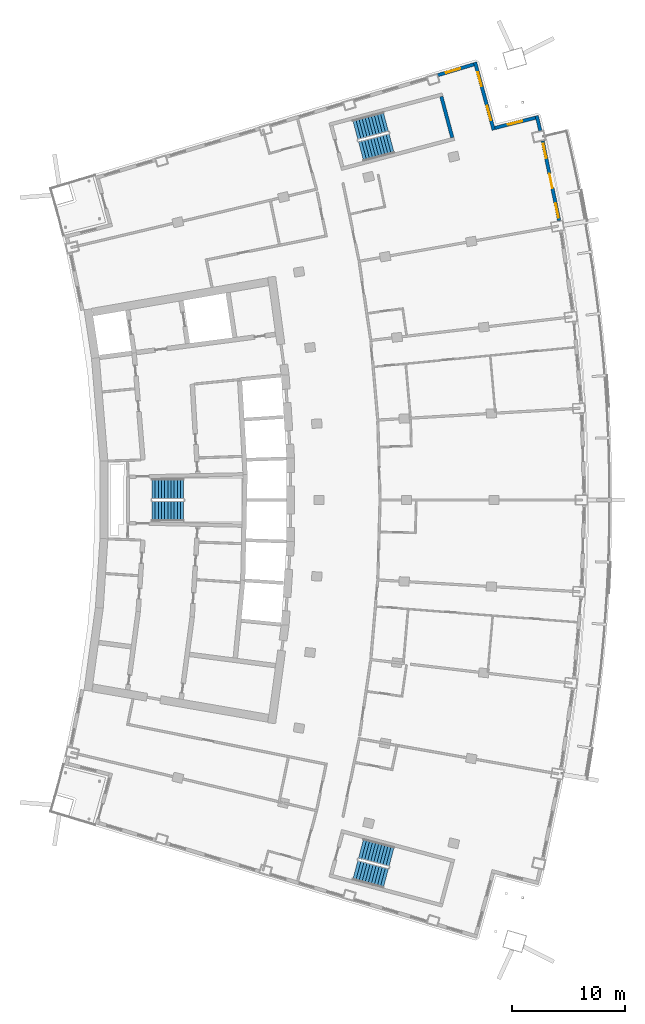
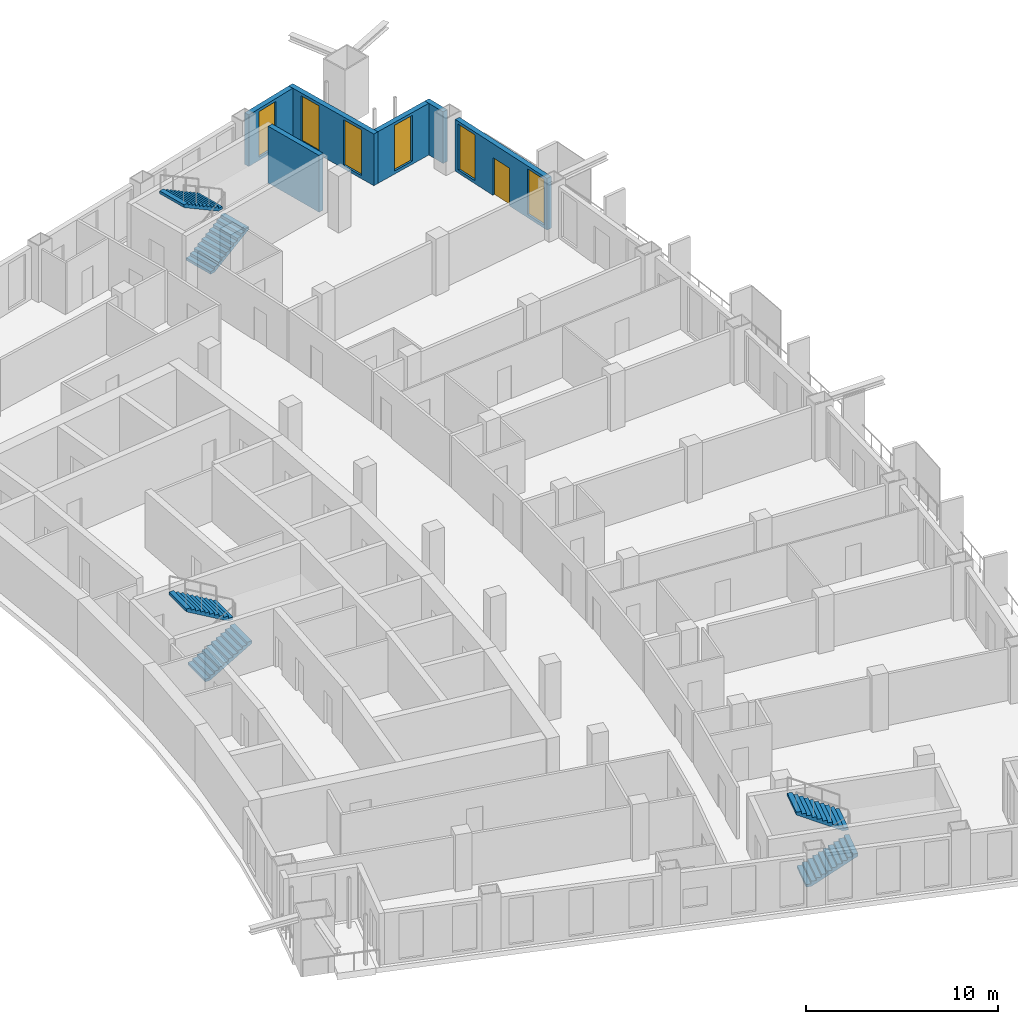
# One storey, part 17 of 20: 6 stair flights, 6 walls, 6 windows, 1 door, 7 openings, 3 elements without a shape of their own.
"""IFC4 building model written with IfcOpenShell, lengths in metres."""

import ifcopenshell
import ifcopenshell.guid

model = None  # the IFC model being written
_history = None  # IfcOwnerHistory: only IFC2X3 demands one
_inside = {}  # id of a spatial element -> (the spatial element, [elements in it])
_under = {}  # id of a project, library or spatial element -> (it, [spatial elements below it])
_declared = {}  # id of a project -> (the project, [libraries it declares])
_typed = {}  # id of a type object -> (the type object, [elements of that type])
_made_of = {}  # id of a material, layer set ... -> (it, [elements and type objects made of it])


def new_model(schema):
    """Start an empty IFC model of exactly this schema.

    Asked for "IFC4X3", IfcOpenShell would pick the latest addendum, in which some entities
    have other attributes; the version numbers below select the first issue.
    IFC2X3 requires an IfcOwnerHistory on every rooted entity: one is made here for all.
    """
    global model, _history
    if schema == "IFC4X3":
        model = ifcopenshell.file(schema_version=(4, 3, 0, 0))
    else:
        model = ifcopenshell.file(schema=schema)
    _inside.clear()
    _under.clear()
    _declared.clear()
    _typed.clear()
    _made_of.clear()
    _history = None
    if model.schema == "IFC2X3":
        org = make("IfcOrganization", Name="unknown")
        user = make(
            "IfcPersonAndOrganization",
            ThePerson=make("IfcPerson", FamilyName="unknown"),
            TheOrganization=org,
        )
        app = make(
            "IfcApplication",
            ApplicationDeveloper=org,
            Version="unknown",
            ApplicationFullName="unknown",
            ApplicationIdentifier="unknown",
        )
        _history = make(
            "IfcOwnerHistory",
            OwningUser=user,
            OwningApplication=app,
            ChangeAction="ADDED",
            CreationDate=0,
        )
    return model


def make(cls, **values):
    """One entity of the class cls with the attributes given. An attribute that is None is left unset."""
    return model.create_entity(
        cls, **{name: value for name, value in values.items() if value is not None}
    )


def rooted(cls, **values):
    """An entity with a GlobalId (a new one), such as an element, a storey or a relation."""
    return make(cls, GlobalId=ifcopenshell.guid.new(), OwnerHistory=_history, **values)


def si_unit(unit_type, name, prefix=None):
    """IfcSIUnit, for example si_unit("LENGTHUNIT", "METRE", prefix="MILLI")."""
    return make("IfcSIUnit", UnitType=unit_type, Prefix=prefix, Name=name)


def assignment(units):
    """IfcUnitAssignment: the units of a project."""
    return None if units is None else make("IfcUnitAssignment", Units=units)


def point(xyz):
    """IfcCartesianPoint."""
    return None if xyz is None else make("IfcCartesianPoint", Coordinates=xyz)


def direction(xyz):
    """IfcDirection."""
    return None if xyz is None else make("IfcDirection", DirectionRatios=xyz)


def frame(location, z_axis=None, x_axis=None):
    """IfcAxis2Placement3D, a coordinate frame: its origin and axes. An axis left out is left unset."""
    return make(
        "IfcAxis2Placement3D",
        Location=point(location),
        Axis=direction(z_axis),
        RefDirection=direction(x_axis),
    )


def frame_2d(location, x_axis=None):
    """IfcAxis2Placement2D, a coordinate frame in the plane: its origin and x axis."""
    return make(
        "IfcAxis2Placement2D", Location=point(location), RefDirection=direction(x_axis)
    )


def origin():
    """The frame at (0, 0, 0) with its axes left unset."""
    return frame((0.0, 0.0, 0.0))


def place(relative_to, where):
    """IfcLocalPlacement: puts the frame where relative to a parent placement (None: the world)."""
    return make(
        "IfcLocalPlacement", PlacementRelTo=relative_to, RelativePlacement=where
    )


def context(
    kind, dimensions, precision=None, world=None, true_north=None, identifier=None
):
    """IfcGeometricRepresentationContext, for example the 3D "Model" context."""
    return make(
        "IfcGeometricRepresentationContext",
        ContextIdentifier=identifier,
        ContextType=kind,
        CoordinateSpaceDimension=dimensions,
        Precision=precision,
        WorldCoordinateSystem=world,
        TrueNorth=true_north,
    )


def subcontext(parent, identifier, kind, view, scale=None):
    """IfcGeometricRepresentationSubContext, for example "Body" below "Model"."""
    return make(
        "IfcGeometricRepresentationSubContext",
        ContextIdentifier=identifier,
        ContextType=kind,
        ParentContext=parent,
        TargetScale=scale,
        TargetView=view,
    )


def project(units=None, contexts=None):
    """IfcProject with its units and contexts."""
    return rooted(
        "IfcProject",
        Name="project",
        RepresentationContexts=contexts,
        UnitsInContext=assignment(units),
    )


def spatial(cls, under=None, at=None, **own):
    """A site, building, storey or space (cls), placed at a placement, below another one or the project."""
    s = rooted(cls, ObjectPlacement=at, **own)
    if under is not None:
        _under.setdefault(under.id(), (under, []))[1].append(s)
    return s


def polyline(points):
    """IfcPolyline through the points."""
    return make("IfcPolyline", Points=[point(p) for p in points])


def profile(cls, at=None, kind="AREA", **sizes):
    """A parametric profile (cls). Its sizes go by their IFC names, for example OverallWidth=200.0."""
    return make(cls, ProfileType=kind, Position=at, **sizes)


def rectangle(**sizes):
    """IfcRectangleProfileDef."""
    return profile("IfcRectangleProfileDef", **sizes)


def outline(outer, holes=None, kind="AREA"):
    """IfcArbitraryClosedProfileDef: a profile drawn as a closed curve; with holes, ...WithVoids."""
    if holes is None:
        return make("IfcArbitraryClosedProfileDef", ProfileType=kind, OuterCurve=outer)
    return make(
        "IfcArbitraryProfileDefWithVoids",
        ProfileType=kind,
        OuterCurve=outer,
        InnerCurves=holes,
    )


def extrude(swept, where, along, depth):
    """IfcExtrudedAreaSolid: the profile swept, set in the frame where, extruded along a direction by depth."""
    return make(
        "IfcExtrudedAreaSolid",
        SweptArea=swept,
        Position=where,
        ExtrudedDirection=direction(along),
        Depth=depth,
    )


def shape(context_of_items, identifier, shape_type, items):
    """IfcShapeRepresentation: the items that make up one representation, for example the "Body"."""
    return make(
        "IfcShapeRepresentation",
        ContextOfItems=context_of_items,
        RepresentationIdentifier=identifier,
        RepresentationType=shape_type,
        Items=items,
    )


def material(Name=None, Category=None):
    """IfcMaterial."""
    return make("IfcMaterial", Name=Name, Category=Category)


def layer(
    of_material, thickness, ventilated=None, Name=None, Category=None, Priority=None
):
    """IfcMaterialLayer: one layer of a wall or slab, of a material (None: an air gap)."""
    return make(
        "IfcMaterialLayer",
        Material=of_material,
        LayerThickness=thickness,
        IsVentilated=ventilated,
        Name=Name,
        Category=Category,
        Priority=Priority,
    )


def layer_set(layers, Name=None):
    """IfcMaterialLayerSet."""
    return make("IfcMaterialLayerSet", MaterialLayers=layers, LayerSetName=Name)


def made_of(thing, what):
    """Note that an element or type object is made of a material, layer set ...; save() writes the relation."""
    if what is not None:
        _made_of.setdefault(what.id(), (what, []))[1].append(thing)
    return thing


def type_object(cls, material=None, **own):
    """A type object (cls), such as IfcWallType, which elements share."""
    return made_of(rooted(cls, **own), material)


def element(
    cls,
    number,
    at=None,
    inside=None,
    cuts=None,
    type_object=None,
    material=None,
    context=None,
    identifier="Body",
    shape_type=None,
    held_by="IfcProductDefinitionShape",
    body=None,
    shapes=None,
    **own,
):
    """One element of the class cls, such as IfcWall. Its Tag is "e" and its number.

    at: its placement. inside: the storey or other place that contains it. cuts: it is an
    opening in that element (IfcRelVoidsElement). A single representation is given by context,
    identifier, shape_type and body (its items); several are given by shapes. held_by: the class
    of the entity that holds the representations. save() writes the other relations.
    """
    e = rooted(cls, Tag="e%d" % number, ObjectPlacement=at, **own)
    if body is not None:
        shapes = [shape(context, identifier, shape_type, body)]
    if shapes is not None:
        e.Representation = make(held_by, Representations=shapes)
    if inside is not None:
        _inside.setdefault(inside.id(), (inside, []))[1].append(e)
    if cuts is not None:
        rooted(
            "IfcRelVoidsElement", RelatingBuildingElement=cuts, RelatedOpeningElement=e
        )
    if type_object is not None:
        _typed.setdefault(type_object.id(), (type_object, []))[1].append(e)
    return made_of(e, material)


def fill(opening, filler):
    """IfcRelFillsElement: the door or window that sits in an opening."""
    return rooted(
        "IfcRelFillsElement",
        RelatingOpeningElement=opening,
        RelatedBuildingElement=filler,
    )


def aggregate(whole, parts):
    """IfcRelAggregates: a whole, such as a stair, and the parts it consists of."""
    return rooted("IfcRelAggregates", RelatingObject=whole, RelatedObjects=parts)


def save(model, path):
    """Write the relations noted so far, then the file.

    IfcRelAggregates (storeys below a building ...), IfcRelContainedInSpatialStructure (elements
    in a storey), IfcRelDefinesByType, IfcRelAssociatesMaterial and IfcRelDeclares: one each for
    every whole, place, type object, material and project.
    """
    for whole, parts in _under.values():
        aggregate(whole, parts)
    for where, things in _inside.values():
        rooted(
            "IfcRelContainedInSpatialStructure",
            RelatedElements=things,
            RelatingStructure=where,
        )
    for kind, things in _typed.values():
        rooted("IfcRelDefinesByType", RelatedObjects=things, RelatingType=kind)
    for what, things in _made_of.values():
        rooted("IfcRelAssociatesMaterial", RelatedObjects=things, RelatingMaterial=what)
    for by, libraries in _declared.values():
        rooted("IfcRelDeclares", RelatingContext=by, RelatedDefinitions=libraries)
    model.write(path)


model = new_model("IFC4")

# Units and contexts
model_context = context("Model", 3, precision=1e-05, world=origin(), true_north=direction((0.0, 1.0)))
body_context = subcontext(model_context, "Body", "Model", "MODEL_VIEW")
ifc_project = project(units=[si_unit("LENGTHUNIT", "METRE"), si_unit("AREAUNIT", "SQUARE_METRE"), si_unit("VOLUMEUNIT", "CUBIC_METRE"), si_unit("PLANEANGLEUNIT", "RADIAN"), si_unit("MASSUNIT", "GRAM", prefix="KILO")], contexts=[model_context])

# Site, building, storey
site_placement = place(None, origin())
site = spatial("IfcSite", under=ifc_project, at=site_placement, CompositionType="ELEMENT")
building_placement = place(site_placement, origin())
building = spatial("IfcBuilding", under=site, at=building_placement, Name="Alderwake Tower", CompositionType="ELEMENT")
storey_placement = place(building_placement, frame((0.0, 0.0, 178.39990234375)))
storey = spatial("IfcBuildingStorey", under=building, at=storey_placement, Name="L44", CompositionType="ELEMENT", Elevation=178.39990234375)

# Wall
ifc_material_1 = material(Name="Concrete C70/85", Category="concrete")
ifc_layer_1 = layer(ifc_material_1, 0.300048828125)
ifc_layer_set_1 = layer_set([ifc_layer_1], Name="Core wall stair enclosure 300 C70-85")
wall_type_1 = type_object("IfcWallType", Name="Core wall stair enclosure 300 C70-85", PredefinedType="SHEAR", material=ifc_layer_set_1)
wall_1_placement = place(storey_placement, frame((47.581298828125, 93.041748046875, 0.0), z_axis=(0.0, 0.0, 1.0), x_axis=(-0.257366821694, 0.966313778796, 0.0)))
element("IfcWall", 1, at=wall_1_placement, inside=storey, type_object=wall_type_1, Name="Core wall CW.081", PredefinedType="SHEAR", context=body_context, shape_type="SweptSolid", body=[
    extrude(rectangle(XDim=3.749755859375, YDim=0.300048828125, at=frame_2d((1.875, 0.0))), origin(), (0.0, 0.0, 1.0), 3.60009765625),
])

# Wall, openings, door, windows
ifc_material_2 = material(Name="Precast concrete C50/60 spandrel panel", Category="concrete")
ifc_layer_2 = layer(ifc_material_2, 0.300048828125)
ifc_layer_set_2 = layer_set([ifc_layer_2], Name="External wall EW1 Precast concrete C50/60 spandrel")
wall_type_2 = type_object("IfcWallType", Name="External wall EW1 Precast concrete C50/60 spandrel", PredefinedType="SOLIDWALL", material=ifc_layer_set_2)
wall_2_placement = place(storey_placement, frame((57.027099609375, 85.707763671875, 0.0), z_axis=(0.0, 0.0, 1.0), x_axis=(-0.202713609839, 0.979238067268, 0.0)))
wall_2 = element("IfcWall", 2, at=wall_2_placement, inside=storey, type_object=wall_type_2, Name="External wall 19", PredefinedType="SOLIDWALL", context=body_context, shape_type="SweptSolid", body=[
    extrude(rectangle(XDim=7.175537109375, YDim=0.300048828125, at=frame_2d((3.587890625, 0.0))), origin(), (0.0, 0.0, 1.0), 3.280029296875),
])
opening_1_placement = place(wall_2_placement, frame((0.2353515625, 0.0, 0.199951171875)))
opening_1 = element("IfcOpeningElement", 3, at=opening_1_placement, cuts=wall_2, Name="Opening W1", PredefinedType="OPENING", context=body_context, shape_type="SweptSolid", body=[
    extrude(rectangle(XDim=1.300048828125, YDim=2.89990234375, at=frame_2d((0.64990234375, 1.449951171875))), frame((0.0, 0.159912109375, 0.0), z_axis=(0.0, -1.0, 0.0), x_axis=(1.0, 0.0, 0.0)), (0.0, 0.0, 1.0), 0.320068359375),
])
opening_2_placement = place(wall_2_placement, frame((2.937744140625, 0.0, 0.0)))
opening_2 = element("IfcOpeningElement", 4, at=opening_2_placement, cuts=wall_2, Name="Opening D08", PredefinedType="OPENING", context=body_context, shape_type="SweptSolid", body=[
    extrude(rectangle(XDim=1.300048828125, YDim=2.39990234375, at=frame_2d((0.64990234375, 1.199951171875))), frame((0.0, 0.159912109375, 0.0), z_axis=(0.0, -1.0, 0.0), x_axis=(1.0, 0.0, 0.0)), (0.0, 0.0, 1.0), 0.320068359375),
])
opening_3_placement = place(wall_2_placement, frame((5.64013671875, 0.0, 0.199951171875)))
opening_3 = element("IfcOpeningElement", 5, at=opening_3_placement, cuts=wall_2, Name="Opening W1", PredefinedType="OPENING", context=body_context, shape_type="SweptSolid", body=[
    extrude(rectangle(XDim=1.300048828125, YDim=2.89990234375, at=frame_2d((0.64990234375, 1.449951171875))), frame((0.0, 0.159912109375, 0.0), z_axis=(0.0, -1.0, 0.0), x_axis=(1.0, 0.0, 0.0)), (0.0, 0.0, 1.0), 0.320068359375),
])
ifc_material_3 = material(Name="Bronze tinted glass in aluminium frame", Category="aluminium")
door_type = type_object("IfcDoorType", Name="Balcony door BD sliding", OperationType="SLIDING_TO_LEFT", PredefinedType="DOOR", material=ifc_material_3)
door_placement = place(opening_2_placement, origin())
door = element("IfcDoor", 6, at=door_placement, inside=storey, type_object=door_type, Name="Door D08", OperationType="SLIDING_TO_LEFT", OverallHeight=2.39990234375, OverallWidth=1.300048828125, PredefinedType="DOOR", context=body_context, shape_type="SweptSolid", body=[
    extrude(rectangle(XDim=1.300048828125, YDim=2.39990234375, at=frame_2d((0.64990234375, 1.199951171875))), frame((0.0, 0.02490234375, 0.0), z_axis=(0.0, -1.0, 0.0), x_axis=(1.0, 0.0, 0.0)), (0.0, 0.0, 1.0), 0.050048828125),
])
fill(opening_2, door)
ifc_material_4 = material(Name="Bronze tinted glass in aluminium frame", Category="aluminium")
window_type = type_object("IfcWindowType", Name="Window W1 tall fixed and vent", PartitioningType="DOUBLE_PANEL_VERTICAL", PredefinedType="WINDOW", material=ifc_material_4)
window_1_placement = place(opening_1_placement, origin())
window_1 = element("IfcWindow", 7, at=window_1_placement, inside=storey, type_object=window_type, Name="Window W1 tall fixed and vent", OverallHeight=2.89990234375, OverallWidth=1.300048828125, PartitioningType="DOUBLE_PANEL_VERTICAL", PredefinedType="WINDOW", context=body_context, shape_type="SweptSolid", body=[
    extrude(rectangle(XDim=1.300048828125, YDim=2.89990234375, at=frame_2d((0.64990234375, 1.449951171875))), frame((0.0, 0.030029296875, 0.0), z_axis=(0.0, -1.0, 0.0), x_axis=(1.0, 0.0, 0.0)), (0.0, 0.0, 1.0), 0.06005859375),
])
fill(opening_1, window_1)
window_2_placement = place(opening_3_placement, origin())
window_2 = element("IfcWindow", 8, at=window_2_placement, inside=storey, type_object=window_type, Name="Window W1 tall fixed and vent", OverallHeight=2.89990234375, OverallWidth=1.300048828125, PartitioningType="DOUBLE_PANEL_VERTICAL", PredefinedType="WINDOW", context=body_context, shape_type="SweptSolid", body=[
    extrude(rectangle(XDim=1.300048828125, YDim=2.89990234375, at=frame_2d((0.64990234375, 1.449951171875))), frame((0.0, 0.030029296875, 0.0), z_axis=(0.0, -1.0, 0.0), x_axis=(1.0, 0.0, 0.0)), (0.0, 0.0, 1.0), 0.06005859375),
])
fill(opening_3, window_2)

# Wall
wall_3_placement = place(storey_placement, frame((55.367919921875, 93.640380859375, 0.0), z_axis=(0.0, 0.0, 1.0), x_axis=(-0.238313179322, 0.971188358951, 0.0)))
element("IfcWall", 9, at=wall_3_placement, inside=storey, type_object=wall_type_2, Name="External wall 20", PredefinedType="SOLIDWALL", context=body_context, shape_type="SweptSolid", body=[
    extrude(rectangle(XDim=1.374755859375, YDim=0.300048828125, at=frame_2d((0.6875, 0.0))), origin(), (0.0, 0.0, 1.0), 3.280029296875),
])

# Wall, opening, window
ifc_material_5 = material(Name="Bronze metal cladding on lightweight framing")
ifc_layer_3 = layer(ifc_material_5, 0.300048828125)
ifc_layer_set_3 = layer_set([ifc_layer_3], Name="External wall EW2 bronze metal cladding")
wall_type_3 = type_object("IfcWallType", Name="External wall EW2 bronze metal cladding", PredefinedType="SOLIDWALL", material=ifc_layer_set_3)
wall_4_placement = place(storey_placement, frame((54.930419921875, 94.793212890625, 0.0), z_axis=(0.0, 0.0, 1.0), x_axis=(-0.969426922046, -0.245380200529, 0.0)))
wall_4 = element("IfcWall", 10, at=wall_4_placement, inside=storey, type_object=wall_type_3, Name="External wall 21", PredefinedType="SOLIDWALL", context=body_context, shape_type="SweptSolid", body=[
    extrude(rectangle(XDim=3.6943359375, YDim=0.300048828125, at=frame_2d((1.84716796875, 0.0))), origin(), (0.0, 0.0, 1.0), 3.280029296875),
])
opening_4_placement = place(wall_4_placement, frame((1.197021484375, 0.0, 0.199951171875)))
opening_4 = element("IfcOpeningElement", 11, at=opening_4_placement, cuts=wall_4, Name="Opening W1", PredefinedType="OPENING", context=body_context, shape_type="SweptSolid", body=[
    extrude(rectangle(XDim=1.300048828125, YDim=2.89990234375, at=frame_2d((0.64990234375, 1.449951171875))), frame((0.0, 0.159912109375, 0.0), z_axis=(0.0, -1.0, 0.0), x_axis=(1.0, 0.0, 0.0)), (0.0, 0.0, 1.0), 0.320068359375),
])
window_3_placement = place(opening_4_placement, origin())
window_3 = element("IfcWindow", 12, at=window_3_placement, inside=storey, type_object=window_type, Name="Window W1 tall fixed and vent", OverallHeight=2.89990234375, OverallWidth=1.300048828125, PartitioningType="DOUBLE_PANEL_VERTICAL", PredefinedType="WINDOW", context=body_context, shape_type="SweptSolid", body=[
    extrude(rectangle(XDim=1.300048828125, YDim=2.89990234375, at=frame_2d((0.64990234375, 1.449951171875))), frame((0.0, 0.030029296875, 0.0), z_axis=(0.0, -1.0, 0.0), x_axis=(1.0, 0.0, 0.0)), (0.0, 0.0, 1.0), 0.06005859375),
])
fill(opening_4, window_3)

# Wall, openings, windows
wall_5_placement = place(storey_placement, frame((51.243408203125, 93.705078125, 0.0), z_axis=(0.0, 0.0, 1.0), x_axis=(-0.265080723664, 0.964226223426, 0.0)))
wall_5 = element("IfcWall", 13, at=wall_5_placement, inside=storey, type_object=wall_type_3, Name="External wall 22", PredefinedType="SOLIDWALL", context=body_context, shape_type="SweptSolid", body=[
    extrude(rectangle(XDim=6.216796875, YDim=0.300048828125, at=frame_2d((3.1083984375, 0.0))), origin(), (0.0, 0.0, 1.0), 3.280029296875),
])
opening_5_placement = place(wall_5_placement, frame((0.904296875, 0.0, 0.199951171875)))
opening_5 = element("IfcOpeningElement", 14, at=opening_5_placement, cuts=wall_5, Name="Opening W1", PredefinedType="OPENING", context=body_context, shape_type="SweptSolid", body=[
    extrude(rectangle(XDim=1.300048828125, YDim=2.89990234375, at=frame_2d((0.64990234375, 1.449951171875))), frame((0.0, 0.159912109375, 0.0), z_axis=(0.0, -1.0, 0.0), x_axis=(1.0, 0.0, 0.0)), (0.0, 0.0, 1.0), 0.320068359375),
])
opening_6_placement = place(wall_5_placement, frame((4.012451171875, 0.0, 0.199951171875)))
opening_6 = element("IfcOpeningElement", 15, at=opening_6_placement, cuts=wall_5, Name="Opening W1", PredefinedType="OPENING", context=body_context, shape_type="SweptSolid", body=[
    extrude(rectangle(XDim=1.300048828125, YDim=2.89990234375, at=frame_2d((0.64990234375, 1.449951171875))), frame((0.0, 0.159912109375, 0.0), z_axis=(0.0, -1.0, 0.0), x_axis=(1.0, 0.0, 0.0)), (0.0, 0.0, 1.0), 0.320068359375),
])
window_4_placement = place(opening_5_placement, origin())
window_4 = element("IfcWindow", 16, at=window_4_placement, inside=storey, type_object=window_type, Name="Window W1 tall fixed and vent", OverallHeight=2.89990234375, OverallWidth=1.300048828125, PartitioningType="DOUBLE_PANEL_VERTICAL", PredefinedType="WINDOW", context=body_context, shape_type="SweptSolid", body=[
    extrude(rectangle(XDim=1.300048828125, YDim=2.89990234375, at=frame_2d((0.64990234375, 1.449951171875))), frame((0.0, 0.030029296875, 0.0), z_axis=(0.0, -1.0, 0.0), x_axis=(1.0, 0.0, 0.0)), (0.0, 0.0, 1.0), 0.06005859375),
])
fill(opening_5, window_4)
window_5_placement = place(opening_6_placement, origin())
window_5 = element("IfcWindow", 17, at=window_5_placement, inside=storey, type_object=window_type, Name="Window W1 tall fixed and vent", OverallHeight=2.89990234375, OverallWidth=1.300048828125, PartitioningType="DOUBLE_PANEL_VERTICAL", PredefinedType="WINDOW", context=body_context, shape_type="SweptSolid", body=[
    extrude(rectangle(XDim=1.300048828125, YDim=2.89990234375, at=frame_2d((0.64990234375, 1.449951171875))), frame((0.0, 0.030029296875, 0.0), z_axis=(0.0, -1.0, 0.0), x_axis=(1.0, 0.0, 0.0)), (0.0, 0.0, 1.0), 0.06005859375),
])
fill(opening_6, window_5)

# Wall, opening, window
wall_6_placement = place(storey_placement, frame((49.49169921875, 99.51171875, 0.0), z_axis=(0.0, 0.0, 1.0), x_axis=(-0.957757642826, -0.287576594332, 0.0)))
wall_6 = element("IfcWall", 18, at=wall_6_placement, inside=storey, type_object=wall_type_3, Name="External wall 23", PredefinedType="SOLIDWALL", context=body_context, shape_type="SweptSolid", body=[
    extrude(rectangle(XDim=3.32958984375, YDim=0.300048828125, at=frame_2d((1.664794921875, 0.0))), origin(), (0.0, 0.0, 1.0), 3.280029296875),
])
opening_7_placement = place(wall_6_placement, frame((1.265625, 0.0, 0.199951171875)))
opening_7 = element("IfcOpeningElement", 19, at=opening_7_placement, cuts=wall_6, Name="Opening W1", PredefinedType="OPENING", context=body_context, shape_type="SweptSolid", body=[
    extrude(rectangle(XDim=1.300048828125, YDim=2.89990234375, at=frame_2d((0.64990234375, 1.449951171875))), frame((0.0, 0.159912109375, 0.0), z_axis=(0.0, -1.0, 0.0), x_axis=(1.0, 0.0, 0.0)), (0.0, 0.0, 1.0), 0.320068359375),
])
window_6_placement = place(opening_7_placement, origin())
window_6 = element("IfcWindow", 20, at=window_6_placement, inside=storey, type_object=window_type, Name="Window W1 tall fixed and vent", OverallHeight=2.89990234375, OverallWidth=1.300048828125, PartitioningType="DOUBLE_PANEL_VERTICAL", PredefinedType="WINDOW", context=body_context, shape_type="SweptSolid", body=[
    extrude(rectangle(XDim=1.300048828125, YDim=2.89990234375, at=frame_2d((0.64990234375, 1.449951171875))), frame((0.0, 0.030029296875, 0.0), z_axis=(0.0, -1.0, 0.0), x_axis=(1.0, 0.0, 0.0)), (0.0, 0.0, 1.0), 0.06005859375),
])
fill(opening_7, window_6)

# Stair, stair flights
ifc_material_6 = material(Name="Concrete C40/50", Category="concrete")
stair_type = type_object("IfcStairType", Name="Core exit stair", PredefinedType="HALF_TURN_STAIR", material=ifc_material_6)
stair_1_placement = place(storey_placement, origin())
stair_1 = element("IfcStair", 21, at=stair_1_placement, inside=storey, type_object=stair_type, Name="L44 Exit Stair B", PredefinedType="HALF_TURN_STAIR")
ifc_material_7 = material(Name="Concrete C40/50", Category="concrete")
ifc_layer_4 = layer(ifc_material_7, 0.14990234375)
ifc_layer_set_4 = layer_set([ifc_layer_4], Name="Core stair flight")
stair_flight_type = type_object("IfcStairFlightType", Name="Core stair flight", PredefinedType="STRAIGHT", material=ifc_layer_set_4)
stair_flight_1_placement = place(storey_placement, frame((21.0400390625, 60.02490234375, 0.0), z_axis=(0.0, 0.0, 1.0), x_axis=(1.0, 0.0, 0.0)))
stair_flight_1 = element("IfcStairFlight", 22, at=stair_flight_1_placement, type_object=stair_flight_type, Name="ST-B flight 1", NumberOfRisers=11, NumberOfTreads=10, PredefinedType="STRAIGHT", RiserHeight=0.163636364, TreadLength=0.28, context=body_context, shape_type="SweptSolid", body=[
    extrude(outline(polyline([(0.0, 0.0), (0.0, 0.16357421875), (0.280029296875, 0.16357421875), (0.280029296875, 0.327392578125), (0.56005859375, 0.327392578125), (0.56005859375, 0.490966796875), (0.840087890625, 0.490966796875), (0.840087890625, 0.654541015625), (1.1201171875, 0.654541015625), (1.1201171875, 0.818115234375), (1.39990234375, 0.818115234375), (1.39990234375, 0.98193359375), (1.679931640625, 0.98193359375), (1.679931640625, 1.1455078125), (1.9599609375, 1.1455078125), (1.9599609375, 1.30908203125), (2.239990234375, 1.30908203125), (2.239990234375, 1.47265625), (2.52001953125, 1.47265625), (2.52001953125, 1.636474609375), (2.800048828125, 1.636474609375), (2.800048828125, 1.800048828125), (2.800048828125, 1.462646484375), (0.297119140625, 0.0), (0.0, 0.0)])), frame((0.0, 0.89990234375, 0.0), z_axis=(0.0, -1.0, 0.0), x_axis=(1.0, 0.0, 0.0)), (0.0, 0.0, 1.0), 1.800048828125),
])
stair_flight_2_placement = place(storey_placement, frame((23.840087890625, 61.97509765625, 1.800048828125), z_axis=(0.0, 0.0, 1.0), x_axis=(-1.0, 0.0, 0.0)))
stair_flight_2 = element("IfcStairFlight", 23, at=stair_flight_2_placement, type_object=stair_flight_type, Name="ST-B flight 2", NumberOfRisers=11, NumberOfTreads=10, PredefinedType="STRAIGHT", RiserHeight=0.163636364, TreadLength=0.28, context=body_context, shape_type="SweptSolid", body=[
    extrude(outline(polyline([(0.0, 0.0), (0.0, 0.16357421875), (0.280029296875, 0.16357421875), (0.280029296875, 0.327392578125), (0.56005859375, 0.327392578125), (0.56005859375, 0.490966796875), (0.840087890625, 0.490966796875), (0.840087890625, 0.654541015625), (1.1201171875, 0.654541015625), (1.1201171875, 0.818115234375), (1.39990234375, 0.818115234375), (1.39990234375, 0.98193359375), (1.679931640625, 0.98193359375), (1.679931640625, 1.1455078125), (1.9599609375, 1.1455078125), (1.9599609375, 1.30908203125), (2.239990234375, 1.30908203125), (2.239990234375, 1.47265625), (2.52001953125, 1.47265625), (2.52001953125, 1.636474609375), (2.800048828125, 1.636474609375), (2.800048828125, 1.800048828125), (2.800048828125, 1.462646484375), (0.297119140625, 0.0), (0.0, 0.0)])), frame((0.0, 0.89990234375, 0.0), z_axis=(0.0, -1.0, 0.0), x_axis=(1.0, 0.0, 0.0)), (0.0, 0.0, 1.0), 1.800048828125),
])
aggregate(stair_1, [stair_flight_1, stair_flight_2])

stair_2_placement = place(storey_placement, origin())
stair_2 = element("IfcStair", 24, at=stair_2_placement, inside=storey, type_object=stair_type, Name="L44 Exit Stair A", PredefinedType="HALF_TURN_STAIR")
stair_flight_3_placement = place(storey_placement, frame((39.512939453125, 91.823974609375, 0.0), z_axis=(0.0, 0.0, 1.0), x_axis=(0.966309627437, 0.257382407951, 0.0)))
stair_flight_3 = element("IfcStairFlight", 25, at=stair_flight_3_placement, type_object=stair_flight_type, Name="ST-A flight 1", NumberOfRisers=11, NumberOfTreads=10, PredefinedType="STRAIGHT", RiserHeight=0.163636364, TreadLength=0.28, context=body_context, shape_type="SweptSolid", body=[
    extrude(outline(polyline([(0.0, 0.0), (0.0, 0.16357421875), (0.280029296875, 0.16357421875), (0.280029296875, 0.327392578125), (0.56005859375, 0.327392578125), (0.56005859375, 0.490966796875), (0.840087890625, 0.490966796875), (0.840087890625, 0.654541015625), (1.1201171875, 0.654541015625), (1.1201171875, 0.818115234375), (1.39990234375, 0.818115234375), (1.39990234375, 0.98193359375), (1.679931640625, 0.98193359375), (1.679931640625, 1.1455078125), (1.9599609375, 1.1455078125), (1.9599609375, 1.30908203125), (2.239990234375, 1.30908203125), (2.239990234375, 1.47265625), (2.52001953125, 1.47265625), (2.52001953125, 1.636474609375), (2.800048828125, 1.636474609375), (2.800048828125, 1.800048828125), (2.800048828125, 1.462646484375), (0.297119140625, 0.0), (0.0, 0.0)])), frame((0.0, 0.89990234375, 0.0), z_axis=(0.0, -1.0, 0.0), x_axis=(1.0, 0.0, 0.0)), (0.0, 0.0, 1.0), 1.800048828125),
])
stair_flight_4_placement = place(storey_placement, frame((41.716796875, 94.428955078125, 1.800048828125), z_axis=(0.0, 0.0, 1.0), x_axis=(-0.966309627437, -0.257382407951, 0.0)))
stair_flight_4 = element("IfcStairFlight", 26, at=stair_flight_4_placement, type_object=stair_flight_type, Name="ST-A flight 2", NumberOfRisers=11, NumberOfTreads=10, PredefinedType="STRAIGHT", RiserHeight=0.163636364, TreadLength=0.28, context=body_context, shape_type="SweptSolid", body=[
    extrude(outline(polyline([(0.0, 0.0), (0.0, 0.16357421875), (0.280029296875, 0.16357421875), (0.280029296875, 0.327392578125), (0.56005859375, 0.327392578125), (0.56005859375, 0.490966796875), (0.840087890625, 0.490966796875), (0.840087890625, 0.654541015625), (1.1201171875, 0.654541015625), (1.1201171875, 0.818115234375), (1.39990234375, 0.818115234375), (1.39990234375, 0.98193359375), (1.679931640625, 0.98193359375), (1.679931640625, 1.1455078125), (1.9599609375, 1.1455078125), (1.9599609375, 1.30908203125), (2.239990234375, 1.30908203125), (2.239990234375, 1.47265625), (2.52001953125, 1.47265625), (2.52001953125, 1.636474609375), (2.800048828125, 1.636474609375), (2.800048828125, 1.800048828125), (2.800048828125, 1.462646484375), (0.297119140625, 0.0), (0.0, 0.0)])), frame((0.0, 0.89990234375, 0.0), z_axis=(0.0, -1.0, 0.0), x_axis=(1.0, 0.0, 0.0)), (0.0, 0.0, 1.0), 1.800048828125),
])
aggregate(stair_2, [stair_flight_3, stair_flight_4])

stair_3_placement = place(storey_placement, origin())
stair_3 = element("IfcStair", 27, at=stair_3_placement, inside=storey, type_object=stair_type, Name="L44 Exit Stair C", PredefinedType="HALF_TURN_STAIR")
stair_flight_5_placement = place(storey_placement, frame((39.010986328125, 28.291748046875, 0.0), z_axis=(0.0, 0.0, 1.0), x_axis=(0.966309627437, -0.257382407951, 0.0)))
stair_flight_5 = element("IfcStairFlight", 28, at=stair_flight_5_placement, type_object=stair_flight_type, Name="ST-C flight 1", NumberOfRisers=11, NumberOfTreads=10, PredefinedType="STRAIGHT", RiserHeight=0.163636364, TreadLength=0.28, context=body_context, shape_type="SweptSolid", body=[
    extrude(outline(polyline([(0.0, 0.0), (0.0, 0.16357421875), (0.280029296875, 0.16357421875), (0.280029296875, 0.327392578125), (0.56005859375, 0.327392578125), (0.56005859375, 0.490966796875), (0.840087890625, 0.490966796875), (0.840087890625, 0.654541015625), (1.1201171875, 0.654541015625), (1.1201171875, 0.818115234375), (1.39990234375, 0.818115234375), (1.39990234375, 0.98193359375), (1.679931640625, 0.98193359375), (1.679931640625, 1.1455078125), (1.9599609375, 1.1455078125), (1.9599609375, 1.30908203125), (2.239990234375, 1.30908203125), (2.239990234375, 1.47265625), (2.52001953125, 1.47265625), (2.52001953125, 1.636474609375), (2.800048828125, 1.636474609375), (2.800048828125, 1.800048828125), (2.800048828125, 1.462646484375), (0.297119140625, 0.0), (0.0, 0.0)])), frame((0.0, 0.89990234375, 0.0), z_axis=(0.0, -1.0, 0.0), x_axis=(1.0, 0.0, 0.0)), (0.0, 0.0, 1.0), 1.800048828125),
])
stair_flight_6_placement = place(storey_placement, frame((42.218505859375, 29.455322265625, 1.800048828125), z_axis=(0.0, 0.0, 1.0), x_axis=(-0.966309627437, 0.257382407951, 0.0)))
stair_flight_6 = element("IfcStairFlight", 29, at=stair_flight_6_placement, type_object=stair_flight_type, Name="ST-C flight 2", NumberOfRisers=11, NumberOfTreads=10, PredefinedType="STRAIGHT", RiserHeight=0.163636364, TreadLength=0.28, context=body_context, shape_type="SweptSolid", body=[
    extrude(outline(polyline([(0.0, 0.0), (0.0, 0.16357421875), (0.280029296875, 0.16357421875), (0.280029296875, 0.327392578125), (0.56005859375, 0.327392578125), (0.56005859375, 0.490966796875), (0.840087890625, 0.490966796875), (0.840087890625, 0.654541015625), (1.1201171875, 0.654541015625), (1.1201171875, 0.818115234375), (1.39990234375, 0.818115234375), (1.39990234375, 0.98193359375), (1.679931640625, 0.98193359375), (1.679931640625, 1.1455078125), (1.9599609375, 1.1455078125), (1.9599609375, 1.30908203125), (2.239990234375, 1.30908203125), (2.239990234375, 1.47265625), (2.52001953125, 1.47265625), (2.52001953125, 1.636474609375), (2.800048828125, 1.636474609375), (2.800048828125, 1.800048828125), (2.800048828125, 1.462646484375), (0.297119140625, 0.0), (0.0, 0.0)])), frame((0.0, 0.89990234375, 0.0), z_axis=(0.0, -1.0, 0.0), x_axis=(1.0, 0.0, 0.0)), (0.0, 0.0, 1.0), 1.800048828125),
])
aggregate(stair_3, [stair_flight_5, stair_flight_6])

save(model, "model.ifc")
